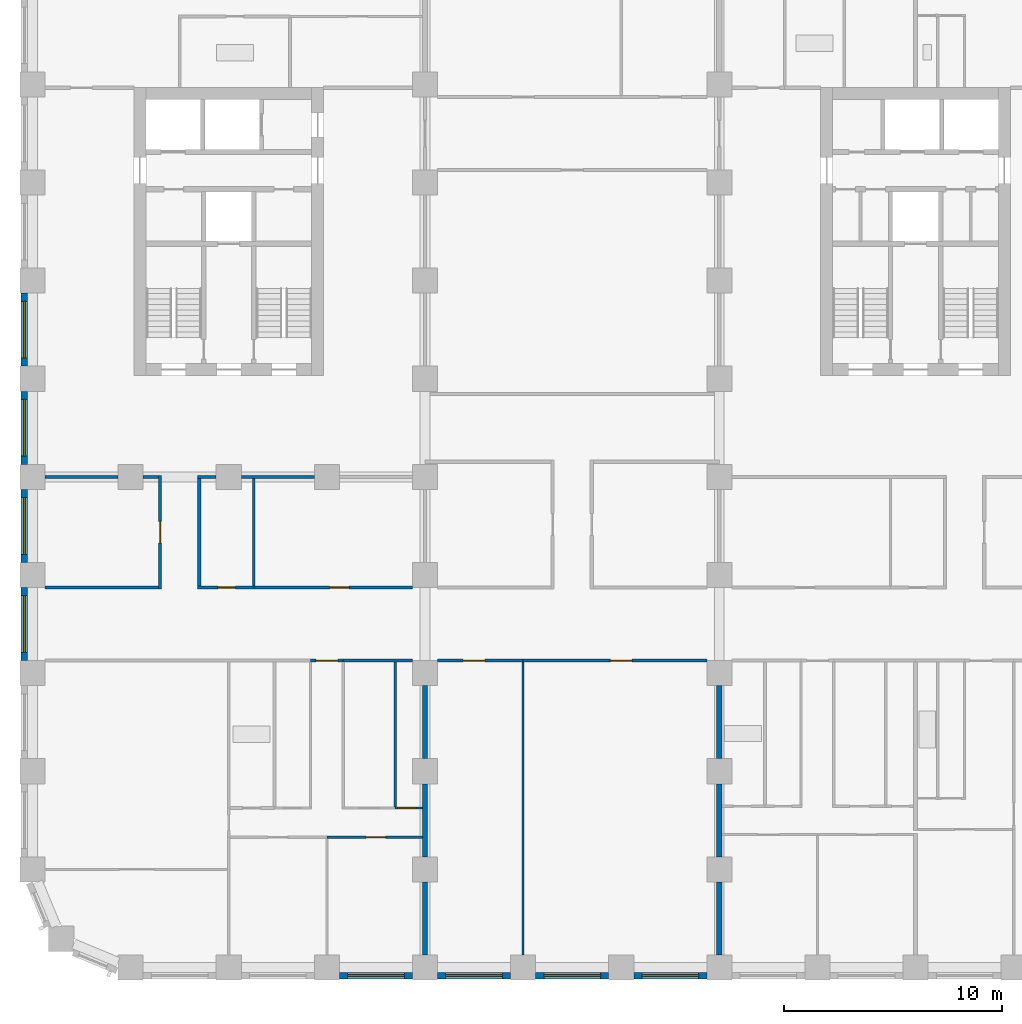
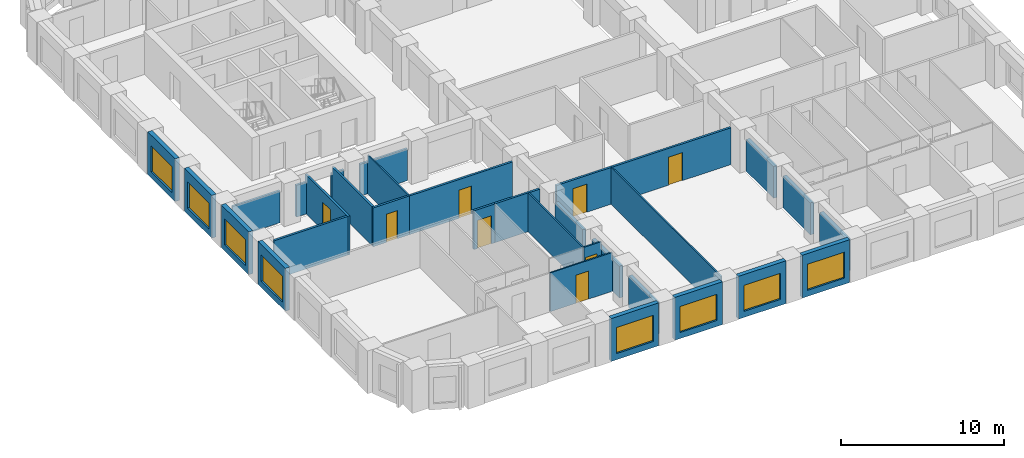
# One storey, part 3 of 12: 32 walls, 8 doors, 8 windows, 16 openings.
"""IFC4 building model written with IfcOpenShell, lengths in metres."""

from ifc_helpers import new_model, si_unit, direction, frame, frame_2d, origin, place, context, subcontext, project, spatial, rectangle, extrude, material, layer, layer_set, type_object, element, fill, save


model = new_model("IFC4")

# Units and contexts
model_context = context("Model", 3, precision=1e-05, world=origin(), true_north=direction((0.0, 1.0)))
body_context = subcontext(model_context, "Body", "Model", "MODEL_VIEW")
ifc_project = project(units=[si_unit("LENGTHUNIT", "METRE"), si_unit("AREAUNIT", "SQUARE_METRE"), si_unit("VOLUMEUNIT", "CUBIC_METRE"), si_unit("PLANEANGLEUNIT", "RADIAN"), si_unit("MASSUNIT", "GRAM", prefix="KILO")], contexts=[model_context])

# Site, building, storey
site_placement = place(None, origin())
site = spatial("IfcSite", under=ifc_project, at=site_placement, CompositionType="ELEMENT")
building_placement = place(site_placement, origin())
building = spatial("IfcBuilding", under=site, at=building_placement, Name="Girih Gate Residences", CompositionType="ELEMENT")
storey_placement = place(building_placement, frame((0.0, 0.0, 115.199951171875)))
storey = spatial("IfcBuildingStorey", under=building, at=storey_placement, Name="L32", CompositionType="ELEMENT", Elevation=115.199951171875)

# Walls
ifc_material_1 = material(Name="Gypsum board on steel studs", Category="steel")
ifc_layer_1 = layer(ifc_material_1, 0.25)
ifc_layer_set_1 = layer_set([ifc_layer_1], Name="Acoustic separating wall 250 mm")
wall_type_1 = type_object("IfcWallType", Name="Acoustic separating wall 250 mm", PredefinedType="PARTITIONING", material=ifc_layer_set_1)
for number, where, z_axis, x_axis, name in (
    (1, (18.0, 5.074951171875, 0.0), (0.0, 0.0, 1.0), (0.0, 1.0, 0.0), "L32 partition"),
    (2, (18.0, 0.574951171875, 0.0), (0.0, 0.0, 1.0), (0.0, 1.0, 0.0), "L32 partition"),
    (3, (18.0, 9.574951171875, 0.0), (0.0, 0.0, 1.0), (0.0, 1.0, 0.0), "L32 partition"),
    (4, (31.5, 9.574951171875, 0.0), (0.0, 0.0, 1.0), (0.0, 1.0, 0.0), "L32 partition"),
    (5, (31.5, 0.574951171875, 0.0), (0.0, 0.0, 1.0), (0.0, 1.0, 0.0), "L32 partition"),
    (6, (31.5, 5.074951171875, 0.0), (0.0, 0.0, 1.0), (0.0, 1.0, 0.0), "L32 partition"),
):
    element("IfcWall", number, at=place(storey_placement, frame(where, z_axis=z_axis, x_axis=x_axis)), inside=storey, type_object=wall_type_1, Name=name, PredefinedType="PARTITIONING", context=body_context, shape_type="SweptSolid", body=[
        extrude(rectangle(XDim=3.35009765625, YDim=0.25, at=frame_2d((1.675048828125, 0.0))), origin(), (0.0, 0.0, 1.0), 2.380126953125),
    ])

# Wall, opening, door
ifc_layer_2 = layer(ifc_material_1, 0.14990234375)
ifc_layer_set_2 = layer_set([ifc_layer_2], Name="Compartment wall 150 mm")
wall_type_2 = type_object("IfcWallType", Name="Compartment wall 150 mm", PredefinedType="PARTITIONING", material=ifc_layer_set_2)
wall_1_placement = place(storey_placement, frame((14.25, 14.074951171875, 0.0), z_axis=(0.0, 0.0, 1.0), x_axis=(-1.0, 0.0, 0.0)))
wall_1 = element("IfcWall", 7, at=wall_1_placement, inside=storey, type_object=wall_type_2, Name="L32 partition", PredefinedType="PARTITIONING", context=body_context, shape_type="SweptSolid", body=[
    extrude(rectangle(XDim=1.5, YDim=0.14990234375, at=frame_2d((0.75, 0.0))), origin(), (0.0, 0.0, 1.0), 2.900146484375),
])
opening_1_placement = place(wall_1_placement, frame((0.25, 0.0, 0.0)))
opening_1 = element("IfcOpeningElement", 8, at=opening_1_placement, cuts=wall_1, Name="Opening A32-009", PredefinedType="OPENING", context=body_context, shape_type="SweptSolid", body=[
    extrude(rectangle(XDim=1.0, YDim=2.10009765625, at=frame_2d((0.5, 1.050048828125))), frame((0.0, 0.0849609375, 0.0), z_axis=(0.0, -1.0, 0.0), x_axis=(1.0, 0.0, 0.0)), (0.0, 0.0, 1.0), 0.169921875),
])
ifc_material_2 = material(Name="Timber, fire-rated core", Category="wood")
door_type_1 = type_object("IfcDoorType", Name="Flat entrance door 1000x2100 FD30S", OperationType="NOTDEFINED", PredefinedType="DOOR", material=ifc_material_2)
door_1_placement = place(opening_1_placement, origin())
door_1 = element("IfcDoor", 9, at=door_1_placement, inside=storey, type_object=door_type_1, Name="Door A32-009", OperationType="SINGLE_SWING_RIGHT", OverallHeight=2.10009765625, OverallWidth=1.0, PredefinedType="DOOR", context=body_context, shape_type="SweptSolid", body=[
    extrude(rectangle(XDim=1.0, YDim=2.10009765625, at=frame_2d((0.5, 1.050048828125))), frame((0.0, 0.02490234375, 0.0), z_axis=(0.0, -1.0, 0.0), x_axis=(1.0, 0.0, 0.0)), (0.0, 0.0, 1.0), 0.050048828125),
])
fill(opening_1, door_1)

# Wall
wall_2_placement = place(storey_placement, frame((14.25, 14.074951171875, 0.0), z_axis=(0.0, 0.0, 1.0), x_axis=(1.0, 0.0, 0.0)))
element("IfcWall", 10, at=wall_2_placement, inside=storey, type_object=wall_type_2, Name="L32 partition", PredefinedType="PARTITIONING", context=body_context, shape_type="SweptSolid", body=[
    extrude(rectangle(XDim=3.175048828125, YDim=0.14990234375, at=frame_2d((1.58740234375, 0.0))), origin(), (0.0, 0.0, 1.0), 2.900146484375),
])

# Wall, opening, door
wall_3_placement = place(storey_placement, frame((22.5, 14.074951171875, 0.0), z_axis=(0.0, 0.0, 1.0), x_axis=(-1.0, 0.0, 0.0)))
wall_3 = element("IfcWall", 11, at=wall_3_placement, inside=storey, type_object=wall_type_2, Name="L32 partition", PredefinedType="PARTITIONING", context=body_context, shape_type="SweptSolid", body=[
    extrude(rectangle(XDim=3.925048828125, YDim=0.14990234375, at=frame_2d((1.96240234375, 0.0))), origin(), (0.0, 0.0, 1.0), 2.75),
])
opening_2_placement = place(wall_3_placement, frame((1.75, 0.0, 0.0)))
opening_2 = element("IfcOpeningElement", 12, at=opening_2_placement, cuts=wall_3, Name="Opening A32-044", PredefinedType="OPENING", context=body_context, shape_type="SweptSolid", body=[
    extrude(rectangle(XDim=1.0, YDim=2.10009765625, at=frame_2d((0.5, 1.050048828125))), frame((0.0, 0.0849609375, 0.0), z_axis=(0.0, -1.0, 0.0), x_axis=(1.0, 0.0, 0.0)), (0.0, 0.0, 1.0), 0.169921875),
])
door_type_2 = type_object("IfcDoorType", Name="Amenity room door 1000x2100 FD30S", OperationType="NOTDEFINED", PredefinedType="DOOR", material=ifc_material_2)
door_2_placement = place(opening_2_placement, origin())
door_2 = element("IfcDoor", 13, at=door_2_placement, inside=storey, type_object=door_type_2, Name="Door A32-044", OperationType="SINGLE_SWING_RIGHT", OverallHeight=2.10009765625, OverallWidth=1.0, PredefinedType="DOOR", context=body_context, shape_type="SweptSolid", body=[
    extrude(rectangle(XDim=1.0, YDim=2.10009765625, at=frame_2d((0.5, 1.050048828125))), frame((0.0, 0.02490234375, 0.0), z_axis=(0.0, -1.0, 0.0), x_axis=(1.0, 0.0, 0.0)), (0.0, 0.0, 1.0), 0.050048828125),
])
fill(opening_2, door_2)

wall_4_placement = place(storey_placement, frame((30.925048828125, 14.074951171875, 0.0), z_axis=(0.0, 0.0, 1.0), x_axis=(-1.0, 0.0, 0.0)))
wall_4 = element("IfcWall", 14, at=wall_4_placement, inside=storey, type_object=wall_type_2, Name="L32 partition", PredefinedType="PARTITIONING", context=body_context, shape_type="SweptSolid", body=[
    extrude(rectangle(XDim=8.425048828125, YDim=0.14990234375, at=frame_2d((4.21240234375, 0.0))), origin(), (0.0, 0.0, 1.0), 2.75),
])
opening_3_placement = place(wall_4_placement, frame((3.425048828125, 0.0, 0.0)))
opening_3 = element("IfcOpeningElement", 15, at=opening_3_placement, cuts=wall_4, Name="Opening A32-045", PredefinedType="OPENING", context=body_context, shape_type="SweptSolid", body=[
    extrude(rectangle(XDim=1.0, YDim=2.10009765625, at=frame_2d((0.5, 1.050048828125))), frame((0.0, 0.0849609375, 0.0), z_axis=(0.0, -1.0, 0.0), x_axis=(1.0, 0.0, 0.0)), (0.0, 0.0, 1.0), 0.169921875),
])
door_3_placement = place(opening_3_placement, origin())
door_3 = element("IfcDoor", 16, at=door_3_placement, inside=storey, type_object=door_type_2, Name="Door A32-045", OperationType="SINGLE_SWING_LEFT", OverallHeight=2.10009765625, OverallWidth=1.0, PredefinedType="DOOR", context=body_context, shape_type="SweptSolid", body=[
    extrude(rectangle(XDim=1.0, YDim=2.10009765625, at=frame_2d((0.5, 1.050048828125))), frame((0.0, 0.02490234375, 0.0), z_axis=(0.0, -1.0, 0.0), x_axis=(1.0, 0.0, 0.0)), (0.0, 0.0, 1.0), 0.050048828125),
])
fill(opening_3, door_3)

wall_5_placement = place(storey_placement, frame((10.14990234375, 17.425048828125, 0.0), z_axis=(0.0, 0.0, 1.0), x_axis=(1.0, 0.0, 0.0)))
wall_5 = element("IfcWall", 17, at=wall_5_placement, inside=storey, type_object=wall_type_2, Name="L32 partition", PredefinedType="PARTITIONING", context=body_context, shape_type="SweptSolid", body=[
    extrude(rectangle(XDim=7.275146484375, YDim=0.14990234375, at=frame_2d((3.6376953125, 0.0))), origin(), (0.0, 0.0, 1.0), 2.900146484375),
])
opening_4_placement = place(wall_5_placement, frame((3.47509765625, 0.0, 0.0)))
opening_4 = element("IfcOpeningElement", 18, at=opening_4_placement, cuts=wall_5, Name="Opening A32-049", PredefinedType="OPENING", context=body_context, shape_type="SweptSolid", body=[
    extrude(rectangle(XDim=0.89990234375, YDim=2.10009765625, at=frame_2d((0.449951171875, 1.050048828125))), frame((0.0, 0.0849609375, 0.0), z_axis=(0.0, -1.0, 0.0), x_axis=(1.0, 0.0, 0.0)), (0.0, 0.0, 1.0), 0.169921875),
])
ifc_material_3 = material(Name="Timber", Category="wood")
door_type_3 = type_object("IfcDoorType", Name="Service room door 900x2100", OperationType="NOTDEFINED", PredefinedType="DOOR", material=ifc_material_3)
door_4_placement = place(opening_4_placement, origin())
door_4 = element("IfcDoor", 19, at=door_4_placement, inside=storey, type_object=door_type_3, Name="Door A32-049", OperationType="SINGLE_SWING_RIGHT", OverallHeight=2.10009765625, OverallWidth=0.89990234375, PredefinedType="DOOR", context=body_context, shape_type="SweptSolid", body=[
    extrude(rectangle(XDim=0.89990234375, YDim=2.10009765625, at=frame_2d((0.449951171875, 1.050048828125))), frame((0.0, 0.02490234375, 0.0), z_axis=(0.0, -1.0, 0.0), x_axis=(1.0, 0.0, 0.0)), (0.0, 0.0, 1.0), 0.050048828125),
])
fill(opening_4, door_4)

wall_6_placement = place(storey_placement, frame((7.574951171875, 17.425048828125, 0.0), z_axis=(0.0, 0.0, 1.0), x_axis=(1.0, 0.0, 0.0)))
wall_6 = element("IfcWall", 20, at=wall_6_placement, inside=storey, type_object=wall_type_2, Name="L32 partition", PredefinedType="PARTITIONING", context=body_context, shape_type="SweptSolid", body=[
    extrude(rectangle(XDim=2.574951171875, YDim=0.14990234375, at=frame_2d((1.28759765625, 0.0))), origin(), (0.0, 0.0, 1.0), 2.900146484375),
])
opening_5_placement = place(wall_6_placement, frame((0.925048828125, 0.0, 0.0)))
opening_5 = element("IfcOpeningElement", 21, at=opening_5_placement, cuts=wall_6, Name="Opening A32-051", PredefinedType="OPENING", context=body_context, shape_type="SweptSolid", body=[
    extrude(rectangle(XDim=0.800048828125, YDim=2.10009765625, at=frame_2d((0.39990234375, 1.050048828125))), frame((0.0, 0.0849609375, 0.0), z_axis=(0.0, -1.0, 0.0), x_axis=(1.0, 0.0, 0.0)), (0.0, 0.0, 1.0), 0.169921875),
])
door_type_4 = type_object("IfcDoorType", Name="Bathroom door 800x2100", OperationType="NOTDEFINED", PredefinedType="DOOR", material=ifc_material_3)
door_5_placement = place(opening_5_placement, origin())
door_5 = element("IfcDoor", 22, at=door_5_placement, inside=storey, type_object=door_type_4, Name="Door A32-051", OperationType="SINGLE_SWING_RIGHT", OverallHeight=2.10009765625, OverallWidth=0.800048828125, PredefinedType="DOOR", context=body_context, shape_type="SweptSolid", body=[
    extrude(rectangle(XDim=0.800048828125, YDim=2.10009765625, at=frame_2d((0.39990234375, 1.050048828125))), frame((0.0, 0.02490234375, 0.0), z_axis=(0.0, -1.0, 0.0), x_axis=(1.0, 0.0, 0.0)), (0.0, 0.0, 1.0), 0.050048828125),
])
fill(opening_5, door_5)

# Walls
wall_7_placement = place(storey_placement, frame((0.574951171875, 17.425048828125, 0.0), z_axis=(0.0, 0.0, 1.0), x_axis=(1.0, 0.0, 0.0)))
element("IfcWall", 23, at=wall_7_placement, inside=storey, type_object=wall_type_2, Name="L32 partition", PredefinedType="PARTITIONING", context=body_context, shape_type="SweptSolid", body=[
    extrude(rectangle(XDim=5.199951171875, YDim=0.14990234375, at=frame_2d((2.60009765625, 0.0))), origin(), (0.0, 0.0, 1.0), 2.900146484375),
])
wall_8_placement = place(storey_placement, frame((9.574951171875, 22.5, 0.0), z_axis=(0.0, 0.0, 1.0), x_axis=(1.0, 0.0, 0.0)))
element("IfcWall", 24, at=wall_8_placement, inside=storey, type_object=wall_type_2, Name="L32 partition", PredefinedType="PARTITIONING", context=body_context, shape_type="SweptSolid", body=[
    extrude(rectangle(XDim=3.35009765625, YDim=0.14990234375, at=frame_2d((1.675048828125, 0.0))), origin(), (0.0, 0.0, 1.0), 2.380126953125),
])
wall_9_placement = place(storey_placement, frame((7.574951171875, 22.5, 0.0), z_axis=(0.0, 0.0, 1.0), x_axis=(1.0, 0.0, 0.0)))
element("IfcWall", 25, at=wall_9_placement, inside=storey, type_object=wall_type_2, Name="L32 partition", PredefinedType="PARTITIONING", context=body_context, shape_type="SweptSolid", body=[
    extrude(rectangle(XDim=0.85009765625, YDim=0.14990234375, at=frame_2d((0.425048828125, 0.0))), origin(), (0.0, 0.0, 1.0), 2.380126953125),
])
wall_10_placement = place(storey_placement, frame((5.074951171875, 22.5, 0.0), z_axis=(0.0, 0.0, 1.0), x_axis=(1.0, 0.0, 0.0)))
element("IfcWall", 26, at=wall_10_placement, inside=storey, type_object=wall_type_2, Name="L32 partition", PredefinedType="PARTITIONING", context=body_context, shape_type="SweptSolid", body=[
    extrude(rectangle(XDim=0.699951171875, YDim=0.14990234375, at=frame_2d((0.35009765625, 0.0))), origin(), (0.0, 0.0, 1.0), 2.380126953125),
])
wall_11_placement = place(storey_placement, frame((0.574951171875, 22.5, 0.0), z_axis=(0.0, 0.0, 1.0), x_axis=(1.0, 0.0, 0.0)))
element("IfcWall", 27, at=wall_11_placement, inside=storey, type_object=wall_type_2, Name="L32 partition", PredefinedType="PARTITIONING", context=body_context, shape_type="SweptSolid", body=[
    extrude(rectangle(XDim=3.35009765625, YDim=0.14990234375, at=frame_2d((1.675048828125, 0.0))), origin(), (0.0, 0.0, 1.0), 2.380126953125),
])
wall_12_placement = place(storey_placement, frame((7.64990234375, 17.5, 0.0), z_axis=(0.0, 0.0, 1.0), x_axis=(0.0, 1.0, 0.0)))
element("IfcWall", 28, at=wall_12_placement, inside=storey, type_object=wall_type_2, Name="L32 partition", PredefinedType="PARTITIONING", context=body_context, shape_type="SweptSolid", body=[
    extrude(rectangle(XDim=4.925048828125, YDim=0.14990234375, at=frame_2d((2.46240234375, 0.0))), origin(), (0.0, 0.0, 1.0), 2.900146484375),
])

# Wall, opening, door
wall_13_placement = place(storey_placement, frame((5.85009765625, 17.35009765625, 0.0), z_axis=(0.0, 0.0, 1.0), x_axis=(0.0, 1.0, 0.0)))
wall_13 = element("IfcWall", 29, at=wall_13_placement, inside=storey, type_object=wall_type_2, Name="L32 partition", PredefinedType="PARTITIONING", context=body_context, shape_type="SweptSolid", body=[
    extrude(rectangle(XDim=5.224853515625, YDim=0.14990234375, at=frame_2d((2.6123046875, 0.0))), origin(), (0.0, 0.0, 1.0), 2.900146484375),
])
opening_6_placement = place(wall_13_placement, frame((2.112548828125, 0.0, 0.0)))
opening_6 = element("IfcOpeningElement", 30, at=opening_6_placement, cuts=wall_13, Name="Opening A32-053", PredefinedType="OPENING", context=body_context, shape_type="SweptSolid", body=[
    extrude(rectangle(XDim=1.0, YDim=2.10009765625, at=frame_2d((0.5, 1.050048828125))), frame((0.0, 0.0849609375, 0.0), z_axis=(0.0, -1.0, 0.0), x_axis=(1.0, 0.0, 0.0)), (0.0, 0.0, 1.0), 0.169921875),
])
door_6_placement = place(opening_6_placement, origin())
door_6 = element("IfcDoor", 31, at=door_6_placement, inside=storey, type_object=door_type_2, Name="Door A32-053", OperationType="SINGLE_SWING_LEFT", OverallHeight=2.10009765625, OverallWidth=1.0, PredefinedType="DOOR", context=body_context, shape_type="SweptSolid", body=[
    extrude(rectangle(XDim=1.0, YDim=2.10009765625, at=frame_2d((0.5, 1.050048828125))), frame((0.0, 0.02490234375, 0.0), z_axis=(0.0, -1.0, 0.0), x_axis=(1.0, 0.0, 0.0)), (0.0, 0.0, 1.0), 0.050048828125),
])
fill(opening_6, door_6)

ifc_layer_3 = layer(ifc_material_1, 0.10009765625)
ifc_layer_set_3 = layer_set([ifc_layer_3], Name="Partition 100 mm")
wall_type_3 = type_object("IfcWallType", Name="Partition 100 mm", PredefinedType="PARTITIONING", material=ifc_layer_set_3)
wall_14_placement = place(storey_placement, frame((17.875, 5.97509765625, 0.0), z_axis=(0.0, 0.0, 1.0), x_axis=(-1.0, 0.0, 0.0)))
wall_14 = element("IfcWall", 32, at=wall_14_placement, inside=storey, type_object=wall_type_3, Name="L32 partition", PredefinedType="PARTITIONING", context=body_context, shape_type="SweptSolid", body=[
    extrude(rectangle(XDim=4.375, YDim=0.10009765625, at=frame_2d((2.1875, 0.0))), origin(), (0.0, 0.0, 1.0), 2.900146484375),
])
opening_7_placement = place(wall_14_placement, frame((1.675048828125, 0.0, 0.0)))
opening_7 = element("IfcOpeningElement", 33, at=opening_7_placement, cuts=wall_14, Name="Opening A32-003", PredefinedType="OPENING", context=body_context, shape_type="SweptSolid", body=[
    extrude(rectangle(XDim=0.89990234375, YDim=2.10009765625, at=frame_2d((0.449951171875, 1.050048828125))), frame((0.0, 0.06005859375, 0.0), z_axis=(0.0, -1.0, 0.0), x_axis=(1.0, 0.0, 0.0)), (0.0, 0.0, 1.0), 0.1201171875),
])
door_type_5 = type_object("IfcDoorType", Name="Bedroom door 900x2100", OperationType="NOTDEFINED", PredefinedType="DOOR", material=ifc_material_3)
door_7_placement = place(opening_7_placement, origin())
door_7 = element("IfcDoor", 34, at=door_7_placement, inside=storey, type_object=door_type_5, Name="Door A32-003", OperationType="SINGLE_SWING_LEFT", OverallHeight=2.10009765625, OverallWidth=0.89990234375, PredefinedType="DOOR", context=body_context, shape_type="SweptSolid", body=[
    extrude(rectangle(XDim=0.89990234375, YDim=2.10009765625, at=frame_2d((0.449951171875, 1.050048828125))), frame((0.0, 0.02490234375, 0.0), z_axis=(0.0, -1.0, 0.0), x_axis=(1.0, 0.0, 0.0)), (0.0, 0.0, 1.0), 0.050048828125),
])
fill(opening_7, door_7)

wall_15_placement = place(storey_placement, frame((16.635009765625, 7.31494140625, 0.0), z_axis=(0.0, 0.0, 1.0), x_axis=(1.0, 0.0, 0.0)))
wall_15 = element("IfcWall", 35, at=wall_15_placement, inside=storey, type_object=wall_type_3, Name="L32 partition", PredefinedType="PARTITIONING", context=body_context, shape_type="SweptSolid", body=[
    extrude(rectangle(XDim=1.239990234375, YDim=0.10009765625, at=frame_2d((0.6201171875, 0.0))), origin(), (0.0, 0.0, 1.0), 2.900146484375),
])
opening_8_placement = place(wall_15_placement, frame((0.1298828125, 0.0, 0.0)))
opening_8 = element("IfcOpeningElement", 36, at=opening_8_placement, cuts=wall_15, Name="Opening A32-007", PredefinedType="OPENING", context=body_context, shape_type="SweptSolid", body=[
    extrude(rectangle(XDim=0.800048828125, YDim=2.10009765625, at=frame_2d((0.39990234375, 1.050048828125))), frame((0.0, 0.06005859375, 0.0), z_axis=(0.0, -1.0, 0.0), x_axis=(1.0, 0.0, 0.0)), (0.0, 0.0, 1.0), 0.1201171875),
])
door_type_6 = type_object("IfcDoorType", Name="Store door 800x2100", OperationType="NOTDEFINED", PredefinedType="DOOR", material=ifc_material_3)
door_8_placement = place(opening_8_placement, origin())
door_8 = element("IfcDoor", 37, at=door_8_placement, inside=storey, type_object=door_type_6, Name="Door A32-007", OperationType="SINGLE_SWING_LEFT", OverallHeight=2.10009765625, OverallWidth=0.800048828125, PredefinedType="DOOR", context=body_context, shape_type="SweptSolid", body=[
    extrude(rectangle(XDim=0.800048828125, YDim=2.10009765625, at=frame_2d((0.39990234375, 1.050048828125))), frame((0.0, 0.02490234375, 0.0), z_axis=(0.0, -1.0, 0.0), x_axis=(1.0, 0.0, 0.0)), (0.0, 0.0, 1.0), 0.050048828125),
])
fill(opening_8, door_8)

# Walls
wall_16_placement = place(storey_placement, frame((16.635009765625, 7.364990234375, 0.0), z_axis=(0.0, 0.0, 1.0), x_axis=(0.0, 1.0, 0.0)))
element("IfcWall", 38, at=wall_16_placement, inside=storey, type_object=wall_type_3, Name="L32 partition", PredefinedType="PARTITIONING", context=body_context, shape_type="SweptSolid", body=[
    extrude(rectangle(XDim=6.635009765625, YDim=0.10009765625, at=frame_2d((3.3173828125, 0.0))), origin(), (0.0, 0.0, 1.0), 2.900146484375),
])
wall_17_placement = place(storey_placement, frame((22.5, 0.574951171875, 0.0), z_axis=(0.0, 0.0, 1.0), x_axis=(0.0, 1.0, 0.0)))
element("IfcWall", 39, at=wall_17_placement, inside=storey, type_object=wall_type_3, Name="L32 partition", PredefinedType="PARTITIONING", context=body_context, shape_type="SweptSolid", body=[
    extrude(rectangle(XDim=13.425048828125, YDim=0.10009765625, at=frame_2d((6.71240234375, 0.0))), origin(), (0.0, 0.0, 1.0), 2.75),
])
wall_18_placement = place(storey_placement, frame((10.14990234375, 17.5, 0.0), z_axis=(0.0, 0.0, 1.0), x_axis=(0.0, 1.0, 0.0)))
element("IfcWall", 40, at=wall_18_placement, inside=storey, type_object=wall_type_3, Name="L32 partition", PredefinedType="PARTITIONING", context=body_context, shape_type="SweptSolid", body=[
    extrude(rectangle(XDim=4.925048828125, YDim=0.10009765625, at=frame_2d((2.46240234375, 0.0))), origin(), (0.0, 0.0, 1.0), 2.900146484375),
])

# Wall, opening, window
ifc_material_4 = material(Name="Precast concrete C50/60", Category="concrete")
ifc_layer_4 = layer(ifc_material_4, 0.080078125, Name="Outer leaf")
ifc_material_5 = material(Name="Rigid PIR insulation")
ifc_layer_5 = layer(ifc_material_5, 0.14990234375, Name="Insulation")
ifc_material_6 = material(Name="Precast concrete C40/50", Category="concrete")
ifc_layer_6 = layer(ifc_material_6, 0.070068359375, Name="Inner leaf")
ifc_layer_set_4 = layer_set([ifc_layer_4, ifc_layer_5, ifc_layer_6], Name="Precast concrete C50/60 external wall 300")
wall_type_4 = type_object("IfcWallType", Name="Precast concrete C50/60 external wall 300", PredefinedType="SOLIDWALL", material=ifc_layer_set_4)
wall_19_placement = place(storey_placement, frame((17.425048828125, -0.375, 0.0), z_axis=(0.0, 0.0, 1.0), x_axis=(-1.0, 0.0, 0.0)))
wall_19 = element("IfcWall", 41, at=wall_19_placement, inside=storey, type_object=wall_type_4, Name="External wall S0045_0000.2", PredefinedType="SOLIDWALL", context=body_context, shape_type="SweptSolid", body=[
    extrude(rectangle(XDim=3.35009765625, YDim=0.300048828125, at=frame_2d((1.675048828125, 0.0))), origin(), (0.0, 0.0, 1.0), 3.199951171875),
])
opening_9_placement = place(wall_19_placement, frame((0.375, 0.0, 0.449951171875)))
opening_9 = element("IfcOpeningElement", 42, at=opening_9_placement, cuts=wall_19, Name="Opening W-1A", PredefinedType="OPENING", context=body_context, shape_type="SweptSolid", body=[
    extrude(rectangle(XDim=2.60009765625, YDim=1.949951171875, at=frame_2d((1.300048828125, 0.97509765625))), frame((0.0, 0.159912109375, 0.0), z_axis=(0.0, -1.0, 0.0), x_axis=(1.0, 0.0, 0.0)), (0.0, 0.0, 1.0), 0.320068359375),
])
ifc_material_7 = material(Name="Double glazing in aluminium frame", Category="aluminium")
window_type = type_object("IfcWindowType", Name="Window W-1A 2600x1950", PartitioningType="SINGLE_PANEL", PredefinedType="WINDOW", material=ifc_material_7)
window_1_placement = place(opening_9_placement, origin())
window_1 = element("IfcWindow", 43, at=window_1_placement, inside=storey, type_object=window_type, Name="Window W-1A S0045_0000.2", OverallHeight=1.949951171875, OverallWidth=2.60009765625, PartitioningType="SINGLE_PANEL", PredefinedType="WINDOW", context=body_context, shape_type="SweptSolid", body=[
    extrude(rectangle(XDim=2.60009765625, YDim=1.949951171875, at=frame_2d((1.300048828125, 0.97509765625))), frame((0.0, 0.030029296875, 0.0), z_axis=(0.0, -1.0, 0.0), x_axis=(1.0, 0.0, 0.0)), (0.0, 0.0, 1.0), 0.06005859375),
])
fill(opening_9, window_1)

wall_20_placement = place(storey_placement, frame((21.925048828125, -0.375, 0.0), z_axis=(0.0, 0.0, 1.0), x_axis=(-1.0, 0.0, 0.0)))
wall_20 = element("IfcWall", 44, at=wall_20_placement, inside=storey, type_object=wall_type_4, Name="External wall S0045_0000.3", PredefinedType="SOLIDWALL", context=body_context, shape_type="SweptSolid", body=[
    extrude(rectangle(XDim=3.35009765625, YDim=0.300048828125, at=frame_2d((1.675048828125, 0.0))), origin(), (0.0, 0.0, 1.0), 3.199951171875),
])
opening_10_placement = place(wall_20_placement, frame((0.375, 0.0, 0.449951171875)))
opening_10 = element("IfcOpeningElement", 45, at=opening_10_placement, cuts=wall_20, Name="Opening W-1A", PredefinedType="OPENING", context=body_context, shape_type="SweptSolid", body=[
    extrude(rectangle(XDim=2.60009765625, YDim=1.949951171875, at=frame_2d((1.300048828125, 0.97509765625))), frame((0.0, 0.159912109375, 0.0), z_axis=(0.0, -1.0, 0.0), x_axis=(1.0, 0.0, 0.0)), (0.0, 0.0, 1.0), 0.320068359375),
])
window_2_placement = place(opening_10_placement, origin())
window_2 = element("IfcWindow", 46, at=window_2_placement, inside=storey, type_object=window_type, Name="Window W-1A S0045_0000.3", OverallHeight=1.949951171875, OverallWidth=2.60009765625, PartitioningType="SINGLE_PANEL", PredefinedType="WINDOW", context=body_context, shape_type="SweptSolid", body=[
    extrude(rectangle(XDim=2.60009765625, YDim=1.949951171875, at=frame_2d((1.300048828125, 0.97509765625))), frame((0.0, 0.030029296875, 0.0), z_axis=(0.0, -1.0, 0.0), x_axis=(1.0, 0.0, 0.0)), (0.0, 0.0, 1.0), 0.06005859375),
])
fill(opening_10, window_2)

wall_21_placement = place(storey_placement, frame((26.425048828125, -0.375, 0.0), z_axis=(0.0, 0.0, 1.0), x_axis=(-1.0, 0.0, 0.0)))
wall_21 = element("IfcWall", 47, at=wall_21_placement, inside=storey, type_object=wall_type_4, Name="External wall S0045_0000.4", PredefinedType="SOLIDWALL", context=body_context, shape_type="SweptSolid", body=[
    extrude(rectangle(XDim=3.35009765625, YDim=0.300048828125, at=frame_2d((1.675048828125, 0.0))), origin(), (0.0, 0.0, 1.0), 3.199951171875),
])
opening_11_placement = place(wall_21_placement, frame((0.375, 0.0, 0.449951171875)))
opening_11 = element("IfcOpeningElement", 48, at=opening_11_placement, cuts=wall_21, Name="Opening W-1A", PredefinedType="OPENING", context=body_context, shape_type="SweptSolid", body=[
    extrude(rectangle(XDim=2.60009765625, YDim=1.949951171875, at=frame_2d((1.300048828125, 0.97509765625))), frame((0.0, 0.159912109375, 0.0), z_axis=(0.0, -1.0, 0.0), x_axis=(1.0, 0.0, 0.0)), (0.0, 0.0, 1.0), 0.320068359375),
])
window_3_placement = place(opening_11_placement, origin())
window_3 = element("IfcWindow", 49, at=window_3_placement, inside=storey, type_object=window_type, Name="Window W-1A S0045_0000.4", OverallHeight=1.949951171875, OverallWidth=2.60009765625, PartitioningType="SINGLE_PANEL", PredefinedType="WINDOW", context=body_context, shape_type="SweptSolid", body=[
    extrude(rectangle(XDim=2.60009765625, YDim=1.949951171875, at=frame_2d((1.300048828125, 0.97509765625))), frame((0.0, 0.030029296875, 0.0), z_axis=(0.0, -1.0, 0.0), x_axis=(1.0, 0.0, 0.0)), (0.0, 0.0, 1.0), 0.06005859375),
])
fill(opening_11, window_3)

wall_22_placement = place(storey_placement, frame((30.925048828125, -0.375, 0.0), z_axis=(0.0, 0.0, 1.0), x_axis=(-1.0, 0.0, 0.0)))
wall_22 = element("IfcWall", 50, at=wall_22_placement, inside=storey, type_object=wall_type_4, Name="External wall S0045_0000.5", PredefinedType="SOLIDWALL", context=body_context, shape_type="SweptSolid", body=[
    extrude(rectangle(XDim=3.35009765625, YDim=0.300048828125, at=frame_2d((1.675048828125, 0.0))), origin(), (0.0, 0.0, 1.0), 3.199951171875),
])
opening_12_placement = place(wall_22_placement, frame((0.375, 0.0, 0.449951171875)))
opening_12 = element("IfcOpeningElement", 51, at=opening_12_placement, cuts=wall_22, Name="Opening W-1A", PredefinedType="OPENING", context=body_context, shape_type="SweptSolid", body=[
    extrude(rectangle(XDim=2.60009765625, YDim=1.949951171875, at=frame_2d((1.300048828125, 0.97509765625))), frame((0.0, 0.159912109375, 0.0), z_axis=(0.0, -1.0, 0.0), x_axis=(1.0, 0.0, 0.0)), (0.0, 0.0, 1.0), 0.320068359375),
])
window_4_placement = place(opening_12_placement, origin())
window_4 = element("IfcWindow", 52, at=window_4_placement, inside=storey, type_object=window_type, Name="Window W-1A S0045_0000.5", OverallHeight=1.949951171875, OverallWidth=2.60009765625, PartitioningType="SINGLE_PANEL", PredefinedType="WINDOW", context=body_context, shape_type="SweptSolid", body=[
    extrude(rectangle(XDim=2.60009765625, YDim=1.949951171875, at=frame_2d((1.300048828125, 0.97509765625))), frame((0.0, 0.030029296875, 0.0), z_axis=(0.0, -1.0, 0.0), x_axis=(1.0, 0.0, 0.0)), (0.0, 0.0, 1.0), 0.06005859375),
])
fill(opening_12, window_4)

wall_23_placement = place(storey_placement, frame((-0.375, 27.574951171875, 0.0), z_axis=(0.0, 0.0, 1.0), x_axis=(0.0, 1.0, 0.0)))
wall_23 = element("IfcWall", 53, at=wall_23_placement, inside=storey, type_object=wall_type_4, Name="External wall W0000_0450.3", PredefinedType="SOLIDWALL", context=body_context, shape_type="SweptSolid", body=[
    extrude(rectangle(XDim=3.35009765625, YDim=0.300048828125, at=frame_2d((1.675048828125, 0.0))), origin(), (0.0, 0.0, 1.0), 3.199951171875),
])
opening_13_placement = place(wall_23_placement, frame((0.375, 0.0, 0.449951171875)))
opening_13 = element("IfcOpeningElement", 54, at=opening_13_placement, cuts=wall_23, Name="Opening W-1A", PredefinedType="OPENING", context=body_context, shape_type="SweptSolid", body=[
    extrude(rectangle(XDim=2.60009765625, YDim=1.949951171875, at=frame_2d((1.300048828125, 0.97509765625))), frame((0.0, 0.159912109375, 0.0), z_axis=(0.0, -1.0, 0.0), x_axis=(1.0, 0.0, 0.0)), (0.0, 0.0, 1.0), 0.320068359375),
])
window_5_placement = place(opening_13_placement, origin())
window_5 = element("IfcWindow", 55, at=window_5_placement, inside=storey, type_object=window_type, Name="Window W-1A W0000_0450.3", OverallHeight=1.949951171875, OverallWidth=2.60009765625, PartitioningType="SINGLE_PANEL", PredefinedType="WINDOW", context=body_context, shape_type="SweptSolid", body=[
    extrude(rectangle(XDim=2.60009765625, YDim=1.949951171875, at=frame_2d((1.300048828125, 0.97509765625))), frame((0.0, 0.030029296875, 0.0), z_axis=(0.0, -1.0, 0.0), x_axis=(1.0, 0.0, 0.0)), (0.0, 0.0, 1.0), 0.06005859375),
])
fill(opening_13, window_5)

wall_24_placement = place(storey_placement, frame((-0.375, 23.074951171875, 0.0), z_axis=(0.0, 0.0, 1.0), x_axis=(0.0, 1.0, 0.0)))
wall_24 = element("IfcWall", 56, at=wall_24_placement, inside=storey, type_object=wall_type_4, Name="External wall W0000_0450.4", PredefinedType="SOLIDWALL", context=body_context, shape_type="SweptSolid", body=[
    extrude(rectangle(XDim=3.35009765625, YDim=0.300048828125, at=frame_2d((1.675048828125, 0.0))), origin(), (0.0, 0.0, 1.0), 3.199951171875),
])
opening_14_placement = place(wall_24_placement, frame((0.375, 0.0, 0.449951171875)))
opening_14 = element("IfcOpeningElement", 57, at=opening_14_placement, cuts=wall_24, Name="Opening W-1A", PredefinedType="OPENING", context=body_context, shape_type="SweptSolid", body=[
    extrude(rectangle(XDim=2.60009765625, YDim=1.949951171875, at=frame_2d((1.300048828125, 0.97509765625))), frame((0.0, 0.159912109375, 0.0), z_axis=(0.0, -1.0, 0.0), x_axis=(1.0, 0.0, 0.0)), (0.0, 0.0, 1.0), 0.320068359375),
])
window_6_placement = place(opening_14_placement, origin())
window_6 = element("IfcWindow", 58, at=window_6_placement, inside=storey, type_object=window_type, Name="Window W-1A W0000_0450.4", OverallHeight=1.949951171875, OverallWidth=2.60009765625, PartitioningType="SINGLE_PANEL", PredefinedType="WINDOW", context=body_context, shape_type="SweptSolid", body=[
    extrude(rectangle(XDim=2.60009765625, YDim=1.949951171875, at=frame_2d((1.300048828125, 0.97509765625))), frame((0.0, 0.030029296875, 0.0), z_axis=(0.0, -1.0, 0.0), x_axis=(1.0, 0.0, 0.0)), (0.0, 0.0, 1.0), 0.06005859375),
])
fill(opening_14, window_6)

wall_25_placement = place(storey_placement, frame((-0.375, 18.574951171875, 0.0), z_axis=(0.0, 0.0, 1.0), x_axis=(0.0, 1.0, 0.0)))
wall_25 = element("IfcWall", 59, at=wall_25_placement, inside=storey, type_object=wall_type_4, Name="External wall W0000_0450.5", PredefinedType="SOLIDWALL", context=body_context, shape_type="SweptSolid", body=[
    extrude(rectangle(XDim=3.35009765625, YDim=0.300048828125, at=frame_2d((1.675048828125, 0.0))), origin(), (0.0, 0.0, 1.0), 3.199951171875),
])
opening_15_placement = place(wall_25_placement, frame((0.375, 0.0, 0.449951171875)))
opening_15 = element("IfcOpeningElement", 60, at=opening_15_placement, cuts=wall_25, Name="Opening W-1A", PredefinedType="OPENING", context=body_context, shape_type="SweptSolid", body=[
    extrude(rectangle(XDim=2.60009765625, YDim=1.949951171875, at=frame_2d((1.300048828125, 0.97509765625))), frame((0.0, 0.159912109375, 0.0), z_axis=(0.0, -1.0, 0.0), x_axis=(1.0, 0.0, 0.0)), (0.0, 0.0, 1.0), 0.320068359375),
])
window_7_placement = place(opening_15_placement, origin())
window_7 = element("IfcWindow", 61, at=window_7_placement, inside=storey, type_object=window_type, Name="Window W-1A W0000_0450.5", OverallHeight=1.949951171875, OverallWidth=2.60009765625, PartitioningType="SINGLE_PANEL", PredefinedType="WINDOW", context=body_context, shape_type="SweptSolid", body=[
    extrude(rectangle(XDim=2.60009765625, YDim=1.949951171875, at=frame_2d((1.300048828125, 0.97509765625))), frame((0.0, 0.030029296875, 0.0), z_axis=(0.0, -1.0, 0.0), x_axis=(1.0, 0.0, 0.0)), (0.0, 0.0, 1.0), 0.06005859375),
])
fill(opening_15, window_7)

wall_26_placement = place(storey_placement, frame((-0.375, 14.074951171875, 0.0), z_axis=(0.0, 0.0, 1.0), x_axis=(0.0, 1.0, 0.0)))
wall_26 = element("IfcWall", 62, at=wall_26_placement, inside=storey, type_object=wall_type_4, Name="External wall W0000_0450.6", PredefinedType="SOLIDWALL", context=body_context, shape_type="SweptSolid", body=[
    extrude(rectangle(XDim=3.35009765625, YDim=0.300048828125, at=frame_2d((1.675048828125, 0.0))), origin(), (0.0, 0.0, 1.0), 3.199951171875),
])
opening_16_placement = place(wall_26_placement, frame((0.375, 0.0, 0.449951171875)))
opening_16 = element("IfcOpeningElement", 63, at=opening_16_placement, cuts=wall_26, Name="Opening W-1A", PredefinedType="OPENING", context=body_context, shape_type="SweptSolid", body=[
    extrude(rectangle(XDim=2.60009765625, YDim=1.949951171875, at=frame_2d((1.300048828125, 0.97509765625))), frame((0.0, 0.159912109375, 0.0), z_axis=(0.0, -1.0, 0.0), x_axis=(1.0, 0.0, 0.0)), (0.0, 0.0, 1.0), 0.320068359375),
])
window_8_placement = place(opening_16_placement, origin())
window_8 = element("IfcWindow", 64, at=window_8_placement, inside=storey, type_object=window_type, Name="Window W-1A W0000_0450.6", OverallHeight=1.949951171875, OverallWidth=2.60009765625, PartitioningType="SINGLE_PANEL", PredefinedType="WINDOW", context=body_context, shape_type="SweptSolid", body=[
    extrude(rectangle(XDim=2.60009765625, YDim=1.949951171875, at=frame_2d((1.300048828125, 0.97509765625))), frame((0.0, 0.030029296875, 0.0), z_axis=(0.0, -1.0, 0.0), x_axis=(1.0, 0.0, 0.0)), (0.0, 0.0, 1.0), 0.06005859375),
])
fill(opening_16, window_8)

save(model, "model.ifc")
